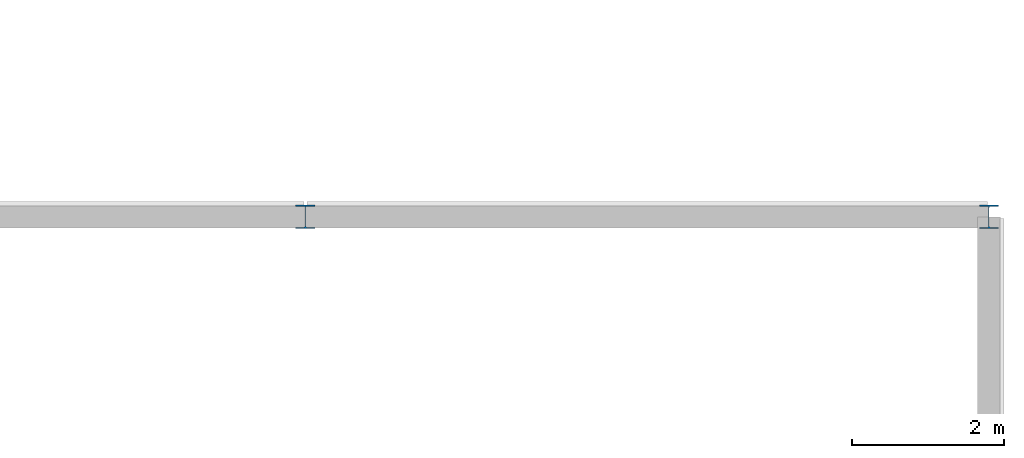
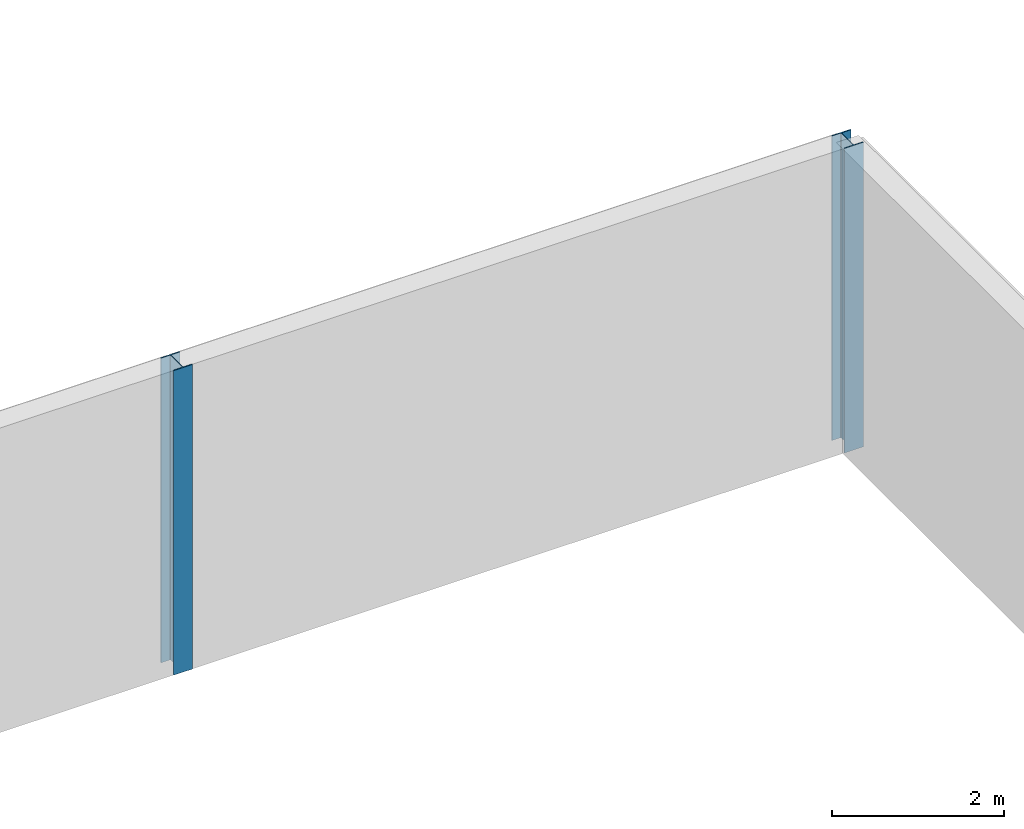
# One storey, part 25 of 174: 2 columns.
"""IFC4 building model written with IfcOpenShell, lengths in metres."""

from ifc_helpers import new_model, si_unit, direction, frame, origin, origin_2d, place, context, subcontext, project, spatial, i_section, extrude, material, material_profile, profile_set, type_object, element, save


model = new_model("IFC4")

# Units and contexts
model_context = context("Model", 3, precision=1e-05, world=origin(), true_north=direction((0.0, 1.0)))
body_context = subcontext(model_context, "Body", "Model", "MODEL_VIEW")
ifc_project = project(units=[si_unit("LENGTHUNIT", "METRE"), si_unit("AREAUNIT", "SQUARE_METRE"), si_unit("VOLUMEUNIT", "CUBIC_METRE"), si_unit("PLANEANGLEUNIT", "RADIAN"), si_unit("MASSUNIT", "GRAM", prefix="KILO")], contexts=[model_context])

# Site, building, storey
site_placement = place(None, origin())
site = spatial("IfcSite", under=ifc_project, at=site_placement, CompositionType="ELEMENT")
building_placement = place(site_placement, origin())
building = spatial("IfcBuilding", under=site, at=building_placement, Name="Caisbarro Railhouse Central Library", CompositionType="ELEMENT")
storey_placement = place(building_placement, frame((0.0, 0.0, 5.0400390625)))
storey = spatial("IfcBuildingStorey", under=building, at=storey_placement, Name="L01", CompositionType="ELEMENT", Elevation=5.0400390625)

# Columns
ifc_material = material(Name="Steel ASTM A572 Grade 50", Category="steel")
ifc_material_profile = material_profile(ifc_material, i_section(OverallWidth=0.25390625, OverallDepth=0.305908203125, WebThickness=0.0087890625, FlangeThickness=0.0146484375, FilletRadius=0.014892578125, at=origin_2d()), Name="W310X79.0")
ifc_profile_set = profile_set([ifc_material_profile], Name="Steel ASTM A572 Grade 50")
column_type = type_object("IfcColumnType", Name="COL-C07", PredefinedType="COLUMN", material=ifc_profile_set)
for number, where, z_axis, x_axis, name in (
    (1, (171.0, 38.0, 0.0), (0.0, 0.0, 1.0), (1.0, 0.0, 0.0), "C07 column L01 (171.0,38.0)"),
    (2, (180.0, 38.0, 0.0), (0.0, 0.0, 1.0), (1.0, 0.0, 0.0), "C07 column L01 (180.0,38.0)"),
):
    element("IfcColumn", number, at=place(storey_placement, frame(where, z_axis=z_axis, x_axis=x_axis)), inside=storey, type_object=column_type, Name=name, PredefinedType="COLUMN", context=body_context, shape_type="SweptSolid", body=[
        extrude(i_section(OverallWidth=0.25390625, OverallDepth=0.305908203125, WebThickness=0.0087890625, FlangeThickness=0.0146484375, FilletRadius=0.014892578125, at=origin_2d()), origin(), (0.0, 0.0, 1.0), 4.320068359375),
    ])

save(model, "model.ifc")
